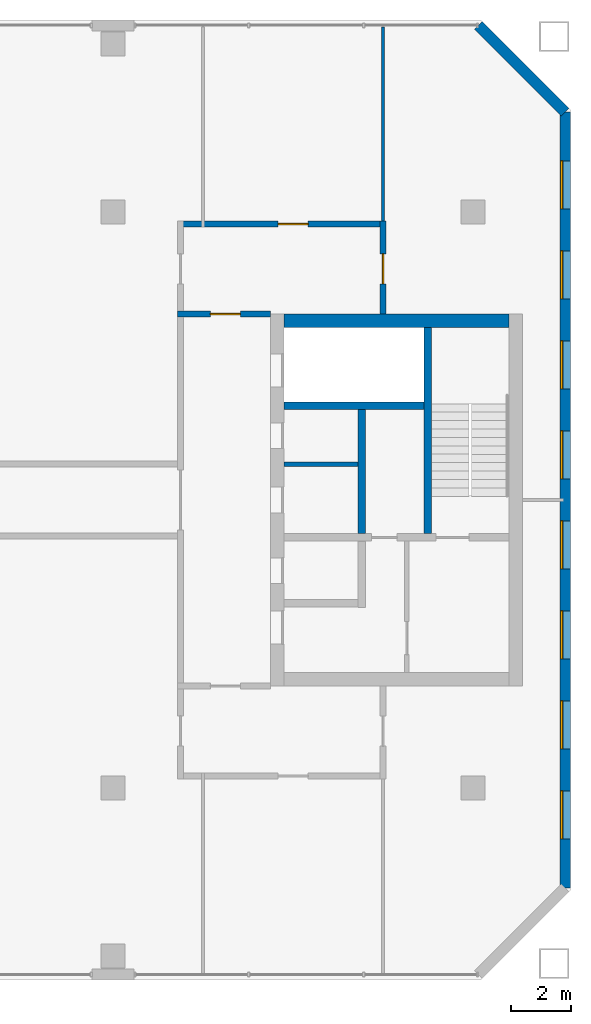
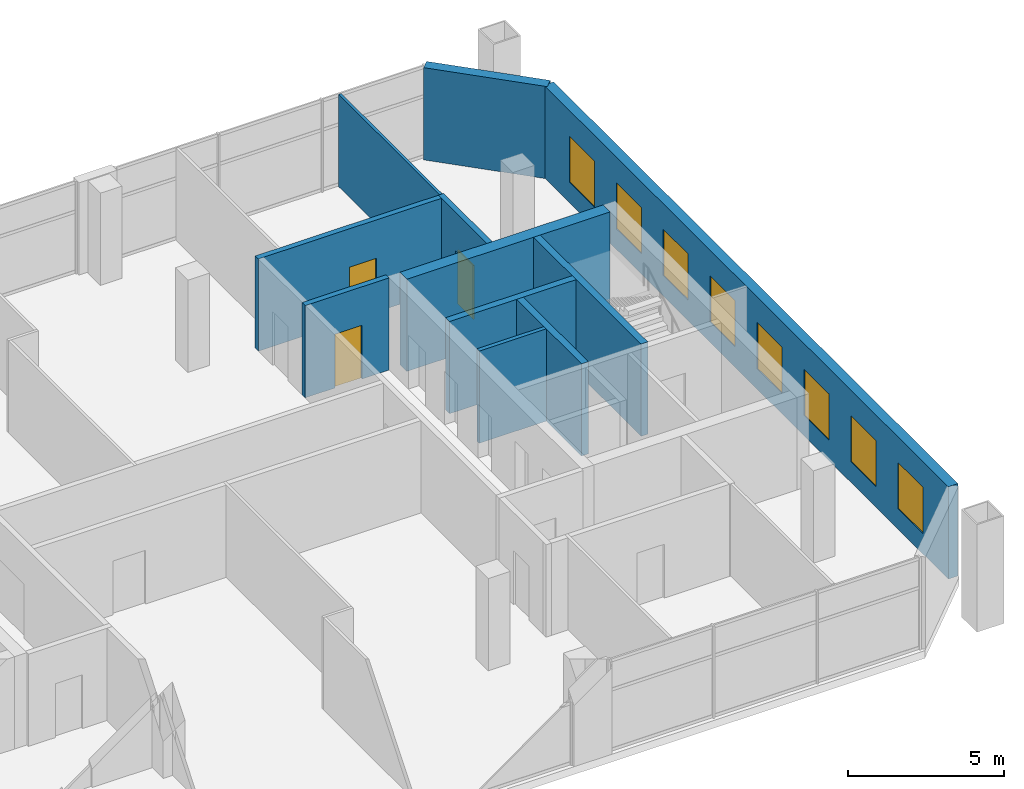
# One storey, part 16 of 19: 11 walls, 8 windows, 3 doors, 11 openings.
"""IFC4 building model written with IfcOpenShell, lengths in metres."""

from ifc_helpers import new_model, si_unit, direction, frame, frame_2d, origin, place, context, subcontext, project, spatial, rectangle, extrude, material, layer, layer_set, type_object, element, fill, save


model = new_model("IFC4")

# Units and contexts
model_context = context("Model", 3, precision=1e-05, world=origin(), true_north=direction((0.0, 1.0)))
body_context = subcontext(model_context, "Body", "Model", "MODEL_VIEW")
ifc_project = project(units=[si_unit("LENGTHUNIT", "METRE"), si_unit("AREAUNIT", "SQUARE_METRE"), si_unit("VOLUMEUNIT", "CUBIC_METRE"), si_unit("PLANEANGLEUNIT", "RADIAN"), si_unit("MASSUNIT", "GRAM", prefix="KILO")], contexts=[model_context])

# Site, building, storey
site_placement = place(None, origin())
site = spatial("IfcSite", under=ifc_project, at=site_placement, CompositionType="ELEMENT")
building_placement = place(site_placement, origin())
building = spatial("IfcBuilding", under=site, at=building_placement, Name="Tuart Gate Housing", CompositionType="ELEMENT")
storey_placement = place(building_placement, frame((0.0, 0.0, 171.60009765625)))
storey = spatial("IfcBuildingStorey", under=building, at=storey_placement, Name="L48", CompositionType="ELEMENT", Elevation=171.60009765625)

# Wall, openings, windows
ifc_material_1 = material(Name="Brick", Category="masonry")
ifc_layer_1 = layer(ifc_material_1, 0.360107421875)
ifc_layer_set_1 = layer_set([ifc_layer_1], Name="Brick pier and spandrel wall 360")
wall_type_1 = type_object("IfcWallType", Name="Brick pier and spandrel wall 360", PredefinedType="STANDARD", material=ifc_layer_set_1)
wall_1_placement = place(storey_placement, frame((170.070068359375, 57.07470703125, 0.0), z_axis=(0.0, 0.0, 1.0), x_axis=(0.0, 1.0, 0.0)))
wall_1 = element("IfcWall", 1, at=wall_1_placement, inside=storey, type_object=wall_type_1, Name="External wall B-E L48", PredefinedType="STANDARD", context=body_context, shape_type="SweptSolid", body=[
    extrude(rectangle(XDim=25.850830078125, YDim=0.360107421875, at=frame_2d((12.92529296875, 0.0))), origin(), (0.0, 0.0, 1.0), 3.599853515625),
])
opening_1_placement = place(wall_1_placement, frame((1.62548828125, 0.0, 0.800048828125)))
opening_1 = element("IfcOpeningElement", 2, at=opening_1_placement, cuts=wall_1, Name="Opening W1", PredefinedType="OPENING", context=body_context, shape_type="SweptSolid", body=[
    extrude(rectangle(XDim=1.60009765625, YDim=1.800048828125, at=frame_2d((0.800048828125, 0.89990234375))), frame((0.0, 0.18994140625, 0.0), z_axis=(0.0, -1.0, 0.0), x_axis=(1.0, 0.0, 0.0)), (0.0, 0.0, 1.0), 0.380126953125),
])
opening_2_placement = place(wall_1_placement, frame((4.62548828125, 0.0, 0.800048828125)))
opening_2 = element("IfcOpeningElement", 3, at=opening_2_placement, cuts=wall_1, Name="Opening W1", PredefinedType="OPENING", context=body_context, shape_type="SweptSolid", body=[
    extrude(rectangle(XDim=1.60009765625, YDim=1.800048828125, at=frame_2d((0.800048828125, 0.89990234375))), frame((0.0, 0.18994140625, 0.0), z_axis=(0.0, -1.0, 0.0), x_axis=(1.0, 0.0, 0.0)), (0.0, 0.0, 1.0), 0.380126953125),
])
opening_3_placement = place(wall_1_placement, frame((7.62548828125, 0.0, 0.800048828125)))
opening_3 = element("IfcOpeningElement", 4, at=opening_3_placement, cuts=wall_1, Name="Opening W1", PredefinedType="OPENING", context=body_context, shape_type="SweptSolid", body=[
    extrude(rectangle(XDim=1.60009765625, YDim=1.800048828125, at=frame_2d((0.800048828125, 0.89990234375))), frame((0.0, 0.18994140625, 0.0), z_axis=(0.0, -1.0, 0.0), x_axis=(1.0, 0.0, 0.0)), (0.0, 0.0, 1.0), 0.380126953125),
])
opening_4_placement = place(wall_1_placement, frame((10.62548828125, 0.0, 0.800048828125)))
opening_4 = element("IfcOpeningElement", 5, at=opening_4_placement, cuts=wall_1, Name="Opening W1", PredefinedType="OPENING", context=body_context, shape_type="SweptSolid", body=[
    extrude(rectangle(XDim=1.60009765625, YDim=1.800048828125, at=frame_2d((0.800048828125, 0.89990234375))), frame((0.0, 0.18994140625, 0.0), z_axis=(0.0, -1.0, 0.0), x_axis=(1.0, 0.0, 0.0)), (0.0, 0.0, 1.0), 0.380126953125),
])
opening_5_placement = place(wall_1_placement, frame((13.62548828125, 0.0, 0.800048828125)))
opening_5 = element("IfcOpeningElement", 6, at=opening_5_placement, cuts=wall_1, Name="Opening W1", PredefinedType="OPENING", context=body_context, shape_type="SweptSolid", body=[
    extrude(rectangle(XDim=1.60009765625, YDim=1.800048828125, at=frame_2d((0.800048828125, 0.89990234375))), frame((0.0, 0.18994140625, 0.0), z_axis=(0.0, -1.0, 0.0), x_axis=(1.0, 0.0, 0.0)), (0.0, 0.0, 1.0), 0.380126953125),
])
opening_6_placement = place(wall_1_placement, frame((16.62548828125, 0.0, 0.800048828125)))
opening_6 = element("IfcOpeningElement", 7, at=opening_6_placement, cuts=wall_1, Name="Opening W1", PredefinedType="OPENING", context=body_context, shape_type="SweptSolid", body=[
    extrude(rectangle(XDim=1.60009765625, YDim=1.800048828125, at=frame_2d((0.800048828125, 0.89990234375))), frame((0.0, 0.18994140625, 0.0), z_axis=(0.0, -1.0, 0.0), x_axis=(1.0, 0.0, 0.0)), (0.0, 0.0, 1.0), 0.380126953125),
])
opening_7_placement = place(wall_1_placement, frame((19.62548828125, 0.0, 0.800048828125)))
opening_7 = element("IfcOpeningElement", 8, at=opening_7_placement, cuts=wall_1, Name="Opening W1", PredefinedType="OPENING", context=body_context, shape_type="SweptSolid", body=[
    extrude(rectangle(XDim=1.60009765625, YDim=1.800048828125, at=frame_2d((0.800048828125, 0.89990234375))), frame((0.0, 0.18994140625, 0.0), z_axis=(0.0, -1.0, 0.0), x_axis=(1.0, 0.0, 0.0)), (0.0, 0.0, 1.0), 0.380126953125),
])
opening_8_placement = place(wall_1_placement, frame((22.62548828125, 0.0, 0.800048828125)))
opening_8 = element("IfcOpeningElement", 9, at=opening_8_placement, cuts=wall_1, Name="Opening W1", PredefinedType="OPENING", context=body_context, shape_type="SweptSolid", body=[
    extrude(rectangle(XDim=1.60009765625, YDim=1.800048828125, at=frame_2d((0.800048828125, 0.89990234375))), frame((0.0, 0.18994140625, 0.0), z_axis=(0.0, -1.0, 0.0), x_axis=(1.0, 0.0, 0.0)), (0.0, 0.0, 1.0), 0.380126953125),
])
ifc_material_2 = material(Name="Aluminium frame with clear glass", Category="aluminium")
window_type = type_object("IfcWindowType", Name="Punched window 1600 x 1800", PartitioningType="SINGLE_PANEL", PredefinedType="WINDOW", material=ifc_material_2)
window_1_placement = place(opening_1_placement, origin())
window_1 = element("IfcWindow", 10, at=window_1_placement, inside=storey, type_object=window_type, Name="Window W1", OverallHeight=1.800048828125, OverallWidth=1.60009765625, PartitioningType="SINGLE_PANEL", PredefinedType="WINDOW", context=body_context, shape_type="SweptSolid", body=[
    extrude(rectangle(XDim=1.60009765625, YDim=1.800048828125, at=frame_2d((0.800048828125, 0.89990234375))), frame((0.0, 0.150146484375, 0.0), z_axis=(0.0, -1.0, 0.0), x_axis=(1.0, 0.0, 0.0)), (0.0, 0.0, 1.0), 0.06005859375),
])
fill(opening_1, window_1)
window_2_placement = place(opening_2_placement, origin())
window_2 = element("IfcWindow", 11, at=window_2_placement, inside=storey, type_object=window_type, Name="Window W1", OverallHeight=1.800048828125, OverallWidth=1.60009765625, PartitioningType="SINGLE_PANEL", PredefinedType="WINDOW", context=body_context, shape_type="SweptSolid", body=[
    extrude(rectangle(XDim=1.60009765625, YDim=1.800048828125, at=frame_2d((0.800048828125, 0.89990234375))), frame((0.0, 0.150146484375, 0.0), z_axis=(0.0, -1.0, 0.0), x_axis=(1.0, 0.0, 0.0)), (0.0, 0.0, 1.0), 0.06005859375),
])
fill(opening_2, window_2)
window_3_placement = place(opening_3_placement, origin())
window_3 = element("IfcWindow", 12, at=window_3_placement, inside=storey, type_object=window_type, Name="Window W1", OverallHeight=1.800048828125, OverallWidth=1.60009765625, PartitioningType="SINGLE_PANEL", PredefinedType="WINDOW", context=body_context, shape_type="SweptSolid", body=[
    extrude(rectangle(XDim=1.60009765625, YDim=1.800048828125, at=frame_2d((0.800048828125, 0.89990234375))), frame((0.0, 0.150146484375, 0.0), z_axis=(0.0, -1.0, 0.0), x_axis=(1.0, 0.0, 0.0)), (0.0, 0.0, 1.0), 0.06005859375),
])
fill(opening_3, window_3)
window_4_placement = place(opening_4_placement, origin())
window_4 = element("IfcWindow", 13, at=window_4_placement, inside=storey, type_object=window_type, Name="Window W1", OverallHeight=1.800048828125, OverallWidth=1.60009765625, PartitioningType="SINGLE_PANEL", PredefinedType="WINDOW", context=body_context, shape_type="SweptSolid", body=[
    extrude(rectangle(XDim=1.60009765625, YDim=1.800048828125, at=frame_2d((0.800048828125, 0.89990234375))), frame((0.0, 0.150146484375, 0.0), z_axis=(0.0, -1.0, 0.0), x_axis=(1.0, 0.0, 0.0)), (0.0, 0.0, 1.0), 0.06005859375),
])
fill(opening_4, window_4)
window_5_placement = place(opening_5_placement, origin())
window_5 = element("IfcWindow", 14, at=window_5_placement, inside=storey, type_object=window_type, Name="Window W1", OverallHeight=1.800048828125, OverallWidth=1.60009765625, PartitioningType="SINGLE_PANEL", PredefinedType="WINDOW", context=body_context, shape_type="SweptSolid", body=[
    extrude(rectangle(XDim=1.60009765625, YDim=1.800048828125, at=frame_2d((0.800048828125, 0.89990234375))), frame((0.0, 0.150146484375, 0.0), z_axis=(0.0, -1.0, 0.0), x_axis=(1.0, 0.0, 0.0)), (0.0, 0.0, 1.0), 0.06005859375),
])
fill(opening_5, window_5)
window_6_placement = place(opening_6_placement, origin())
window_6 = element("IfcWindow", 15, at=window_6_placement, inside=storey, type_object=window_type, Name="Window W1", OverallHeight=1.800048828125, OverallWidth=1.60009765625, PartitioningType="SINGLE_PANEL", PredefinedType="WINDOW", context=body_context, shape_type="SweptSolid", body=[
    extrude(rectangle(XDim=1.60009765625, YDim=1.800048828125, at=frame_2d((0.800048828125, 0.89990234375))), frame((0.0, 0.150146484375, 0.0), z_axis=(0.0, -1.0, 0.0), x_axis=(1.0, 0.0, 0.0)), (0.0, 0.0, 1.0), 0.06005859375),
])
fill(opening_6, window_6)
window_7_placement = place(opening_7_placement, origin())
window_7 = element("IfcWindow", 16, at=window_7_placement, inside=storey, type_object=window_type, Name="Window W1", OverallHeight=1.800048828125, OverallWidth=1.60009765625, PartitioningType="SINGLE_PANEL", PredefinedType="WINDOW", context=body_context, shape_type="SweptSolid", body=[
    extrude(rectangle(XDim=1.60009765625, YDim=1.800048828125, at=frame_2d((0.800048828125, 0.89990234375))), frame((0.0, 0.150146484375, 0.0), z_axis=(0.0, -1.0, 0.0), x_axis=(1.0, 0.0, 0.0)), (0.0, 0.0, 1.0), 0.06005859375),
])
fill(opening_7, window_7)
window_8_placement = place(opening_8_placement, origin())
window_8 = element("IfcWindow", 17, at=window_8_placement, inside=storey, type_object=window_type, Name="Window W1", OverallHeight=1.800048828125, OverallWidth=1.60009765625, PartitioningType="SINGLE_PANEL", PredefinedType="WINDOW", context=body_context, shape_type="SweptSolid", body=[
    extrude(rectangle(XDim=1.60009765625, YDim=1.800048828125, at=frame_2d((0.800048828125, 0.89990234375))), frame((0.0, 0.150146484375, 0.0), z_axis=(0.0, -1.0, 0.0), x_axis=(1.0, 0.0, 0.0)), (0.0, 0.0, 1.0), 0.06005859375),
])
fill(opening_8, window_8)

# Walls
wall_2_placement = place(storey_placement, frame((170.070068359375, 82.92529296875, 0.0), z_axis=(0.0, 0.0, 1.0), x_axis=(-0.707106781187, 0.707106781187, 0.0)))
element("IfcWall", 18, at=wall_2_placement, inside=storey, type_object=wall_type_1, Name="External wall B-NE L48", PredefinedType="STANDARD", context=body_context, shape_type="SweptSolid", body=[
    extrude(rectangle(XDim=4.09375, YDim=0.360107421875, at=frame_2d((2.046875, 0.0))), origin(), (0.0, 0.0, 1.0), 3.599853515625),
])
ifc_material_3 = material(Name="Plasterboard partition")
ifc_layer_2 = layer(ifc_material_3, 0.14990234375)
ifc_layer_set_2 = layer_set([ifc_layer_2], Name="Core partition 150")
wall_type_2 = type_object("IfcWallType", Name="Core partition 150", PredefinedType="PARTITIONING", material=ifc_layer_set_2)
wall_3_placement = place(storey_placement, frame((160.68994140625, 71.199951171875, 0.0), z_axis=(0.0, 0.0, 1.0), x_axis=(1.0, 0.0, 0.0)))
element("IfcWall", 19, at=wall_3_placement, inside=storey, type_object=wall_type_2, Name="Core partition BK.2", PredefinedType="PARTITIONING", context=body_context, shape_type="SweptSolid", body=[
    extrude(rectangle(XDim=2.47509765625, YDim=0.14990234375, at=frame_2d((1.237548828125, 0.0))), origin(), (0.0, 0.0, 1.0), 3.599853515625),
])
ifc_material_4 = material(Name="Concrete C40", Category="concrete")
ifc_layer_3 = layer(ifc_material_4, 0.25)
ifc_layer_set_3 = layer_set([ifc_layer_3], Name="Core wall 250 C40")
wall_type_3 = type_object("IfcWallType", Name="Core wall 250 C40", PredefinedType="SHEAR", material=ifc_layer_set_3)
wall_4_placement = place(storey_placement, frame((160.68994140625, 73.14990234375, 0.0), z_axis=(0.0, 0.0, 1.0), x_axis=(1.0, 0.0, 0.0)))
element("IfcWall", 20, at=wall_4_placement, inside=storey, type_object=wall_type_3, Name="Core wall BK.1", PredefinedType="SHEAR", context=body_context, shape_type="SweptSolid", body=[
    extrude(rectangle(XDim=4.675048828125, YDim=0.25, at=frame_2d((2.33740234375, 0.0))), origin(), (0.0, 0.0, 1.0), 3.599853515625),
])
wall_5_placement = place(storey_placement, frame((163.2900390625, 73.02490234375, 0.0), z_axis=(0.0, 0.0, 1.0), x_axis=(0.0, -1.0, 0.0)))
element("IfcWall", 21, at=wall_5_placement, inside=storey, type_object=wall_type_3, Name="Core wall BK.5", PredefinedType="SHEAR", context=body_context, shape_type="SweptSolid", body=[
    extrude(rectangle(XDim=4.14990234375, YDim=0.25, at=frame_2d((2.074951171875, 0.0))), origin(), (0.0, 0.0, 1.0), 3.599853515625),
])
wall_6_placement = place(storey_placement, frame((165.489990234375, 75.75, 0.0), z_axis=(0.0, 0.0, 1.0), x_axis=(0.0, -1.0, 0.0)))
element("IfcWall", 22, at=wall_6_placement, inside=storey, type_object=wall_type_3, Name="Core wall BK.8", PredefinedType="SHEAR", context=body_context, shape_type="SweptSolid", body=[
    extrude(rectangle(XDim=6.875, YDim=0.25, at=frame_2d((3.4375, 0.0))), origin(), (0.0, 0.0, 1.0), 3.599853515625),
])
ifc_material_5 = material(Name="Concrete C40", Category="concrete")
ifc_layer_4 = layer(ifc_material_5, 0.449951171875)
ifc_layer_set_4 = layer_set([ifc_layer_4], Name="Core wall 450 C40")
wall_type_4 = type_object("IfcWallType", Name="Core wall 450 C40", PredefinedType="SHEAR", material=ifc_layer_set_4)
wall_7_placement = place(storey_placement, frame((160.68994140625, 75.97509765625, 0.0), z_axis=(0.0, 0.0, 1.0), x_axis=(1.0, 0.0, 0.0)))
element("IfcWall", 23, at=wall_7_placement, inside=storey, type_object=wall_type_4, Name="Core wall BK south", PredefinedType="SHEAR", context=body_context, shape_type="SweptSolid", body=[
    extrude(rectangle(XDim=7.5, YDim=0.449951171875, at=frame_2d((3.75, 0.0))), origin(), (0.0, 0.0, 1.0), 3.599853515625),
])

# Wall, opening, door
ifc_material_6 = material(Name="Concrete masonry 15 MPa", Category="masonry")
ifc_layer_5 = layer(ifc_material_6, 0.199951171875)
ifc_layer_set_5 = layer_set([ifc_layer_5], Name="Corridor wall masonry 200")
wall_type_5 = type_object("IfcWallType", Name="Corridor wall masonry 200", PredefinedType="PARTITIONING", material=ifc_layer_set_5)
wall_8_placement = place(storey_placement, frame((157.139892578125, 79.199951171875, 0.0), z_axis=(0.0, 0.0, 1.0), x_axis=(1.0, 0.0, 0.0)))
wall_8 = element("IfcWall", 24, at=wall_8_placement, inside=storey, type_object=wall_type_5, Name="Corridor wall masonry 200", PredefinedType="PARTITIONING", context=body_context, shape_type="SweptSolid", body=[
    extrude(rectangle(XDim=6.960205078125, YDim=0.199951171875, at=frame_2d((3.47998046875, 0.0))), origin(), (0.0, 0.0, 1.0), 3.599853515625),
])
opening_9_placement = place(wall_8_placement, frame((3.360107421875, 0.0, 0.0)))
opening_9 = element("IfcOpeningElement", 25, at=opening_9_placement, cuts=wall_8, Name="Opening D248", PredefinedType="OPENING", context=body_context, shape_type="SweptSolid", body=[
    extrude(rectangle(XDim=1.0, YDim=2.10009765625, at=frame_2d((0.5, 1.050048828125))), frame((0.0, 0.10986328125, 0.0), z_axis=(0.0, -1.0, 0.0), x_axis=(1.0, 0.0, 0.0)), (0.0, 0.0, 1.0), 0.219970703125),
])
ifc_material_7 = material(Name="Timber door leaf in steel frame", Category="steel")
door_type_1 = type_object("IfcDoorType", Name="Fire door 1000", OperationType="SINGLE_SWING_LEFT", PredefinedType="DOOR", material=ifc_material_7)
door_1_placement = place(opening_9_placement, origin())
door_1 = element("IfcDoor", 26, at=door_1_placement, inside=storey, type_object=door_type_1, Name="Fire door 1000", OperationType="SINGLE_SWING_LEFT", OverallHeight=2.10009765625, OverallWidth=1.0, PredefinedType="DOOR", context=body_context, shape_type="SweptSolid", body=[
    extrude(rectangle(XDim=1.0, YDim=2.10009765625, at=frame_2d((0.5, 1.050048828125))), frame((0.0, 0.02490234375, 0.0), z_axis=(0.0, -1.0, 0.0), x_axis=(1.0, 0.0, 0.0)), (0.0, 0.0, 1.0), 0.050048828125),
])
fill(opening_9, door_1)

wall_9_placement = place(storey_placement, frame((164.0, 76.199951171875, 0.0), z_axis=(0.0, 0.0, 1.0), x_axis=(0.0, 1.0, 0.0)))
wall_9 = element("IfcWall", 27, at=wall_9_placement, inside=storey, type_object=wall_type_5, Name="Corridor wall masonry 200", PredefinedType="PARTITIONING", context=body_context, shape_type="SweptSolid", body=[
    extrude(rectangle(XDim=3.10205078125, YDim=0.199951171875, at=frame_2d((1.551025390625, 0.0))), origin(), (0.0, 0.0, 1.0), 3.599853515625),
])
opening_10_placement = place(wall_9_placement, frame((1.0009765625, 0.0, 0.0)))
opening_10 = element("IfcOpeningElement", 28, at=opening_10_placement, cuts=wall_9, Name="Opening D249", PredefinedType="OPENING", context=body_context, shape_type="SweptSolid", body=[
    extrude(rectangle(XDim=1.0, YDim=2.10009765625, at=frame_2d((0.5, 1.050048828125))), frame((0.0, 0.10986328125, 0.0), z_axis=(0.0, -1.0, 0.0), x_axis=(1.0, 0.0, 0.0)), (0.0, 0.0, 1.0), 0.219970703125),
])
ifc_material_8 = material(Name="Timber door leaf in steel frame", Category="steel")
door_type_2 = type_object("IfcDoorType", Name="Fire door 1000 RH", OperationType="SINGLE_SWING_RIGHT", PredefinedType="DOOR", material=ifc_material_8)
door_2_placement = place(opening_10_placement, frame((1.0, 0.0, 0.0), z_axis=(0.0, 0.0, 1.0), x_axis=(-1.0, 0.0, 0.0)))
door_2 = element("IfcDoor", 29, at=door_2_placement, inside=storey, type_object=door_type_2, Name="Fire door 1000", OperationType="SINGLE_SWING_RIGHT", OverallHeight=2.10009765625, OverallWidth=1.0, PredefinedType="DOOR", context=body_context, shape_type="SweptSolid", body=[
    extrude(rectangle(XDim=1.0, YDim=2.10009765625, at=frame_2d((0.5, 1.050048828125))), frame((0.0, 0.025146484375, 0.0), z_axis=(0.0, -1.0, 0.0), x_axis=(1.0, 0.0, 0.0)), (0.0, 0.0, 1.0), 0.050048828125),
])
fill(opening_10, door_2)

ifc_material_9 = material(Name="Concrete masonry 15 MPa", Category="masonry")
ifc_layer_6 = layer(ifc_material_9, 0.199951171875)
ifc_layer_set_6 = layer_set([ifc_layer_6], Name="Enclosure wall masonry 200")
wall_type_6 = type_object("IfcWallType", Name="Enclosure wall masonry 200", PredefinedType="PARTITIONING", material=ifc_layer_set_6)
wall_10_placement = place(storey_placement, frame((157.139892578125, 76.199951171875, 0.0), z_axis=(0.0, 0.0, 1.0), x_axis=(1.0, 0.0, 0.0)))
wall_10 = element("IfcWall", 30, at=wall_10_placement, inside=storey, type_object=wall_type_6, Name="Enclosure wall masonry 200", PredefinedType="PARTITIONING", context=body_context, shape_type="SweptSolid", body=[
    extrude(rectangle(XDim=3.10009765625, YDim=0.199951171875, at=frame_2d((1.550048828125, 0.0))), origin(), (0.0, 0.0, 1.0), 3.599853515625),
])
opening_11_placement = place(wall_10_placement, frame((1.10009765625, 0.0, 0.0)))
opening_11 = element("IfcOpeningElement", 31, at=opening_11_placement, cuts=wall_10, Name="Opening D253", PredefinedType="OPENING", context=body_context, shape_type="SweptSolid", body=[
    extrude(rectangle(XDim=1.0, YDim=2.10009765625, at=frame_2d((0.5, 1.050048828125))), frame((0.0, 0.10986328125, 0.0), z_axis=(0.0, -1.0, 0.0), x_axis=(1.0, 0.0, 0.0)), (0.0, 0.0, 1.0), 0.219970703125),
])
ifc_material_10 = material(Name="Timber door leaf in steel frame", Category="steel")
door_type_3 = type_object("IfcDoorType", Name="Lobby door 1000", OperationType="SINGLE_SWING_LEFT", PredefinedType="DOOR", material=ifc_material_10)
door_3_placement = place(opening_11_placement, origin())
door_3 = element("IfcDoor", 32, at=door_3_placement, inside=storey, type_object=door_type_3, Name="Lobby door 1000", OperationType="SINGLE_SWING_LEFT", OverallHeight=2.10009765625, OverallWidth=1.0, PredefinedType="DOOR", context=body_context, shape_type="SweptSolid", body=[
    extrude(rectangle(XDim=1.0, YDim=2.10009765625, at=frame_2d((0.5, 1.050048828125))), frame((0.0, 0.02490234375, 0.0), z_axis=(0.0, -1.0, 0.0), x_axis=(1.0, 0.0, 0.0)), (0.0, 0.0, 1.0), 0.050048828125),
])
fill(opening_11, door_3)

# Wall
ifc_material_11 = material(Name="Gypsum board on steel studs", Category="steel")
ifc_layer_7 = layer(ifc_material_11, 0.10009765625)
ifc_layer_set_7 = layer_set([ifc_layer_7], Name="Partition 100")
wall_type_7 = type_object("IfcWallType", Name="Partition 100", PredefinedType="PARTITIONING", material=ifc_layer_set_7)
wall_11_placement = place(storey_placement, frame((164.0, 79.097900390625, 0.0), z_axis=(0.0, 0.0, 1.0), x_axis=(0.0, 1.0, 0.0)))
element("IfcWall", 33, at=wall_11_placement, inside=storey, type_object=wall_type_7, Name="Partition 100", PredefinedType="PARTITIONING", context=body_context, shape_type="SweptSolid", body=[
    extrude(rectangle(XDim=6.662109375, YDim=0.10009765625, at=frame_2d((3.3310546875, 0.0))), origin(), (0.0, 0.0, 1.0), 3.599853515625),
])

save(model, "model.ifc")
